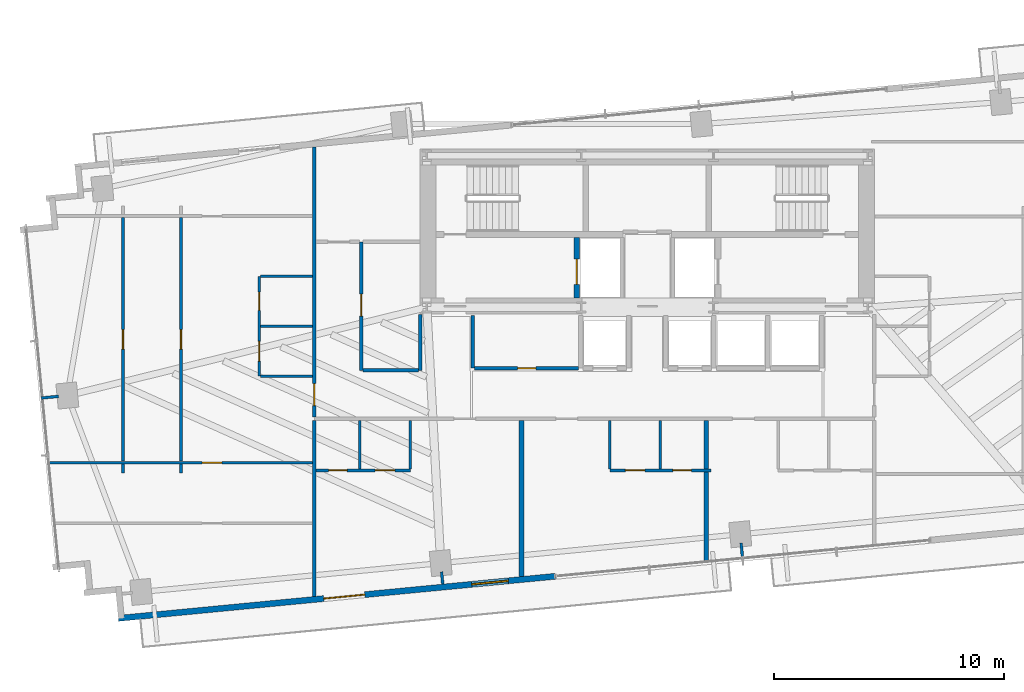
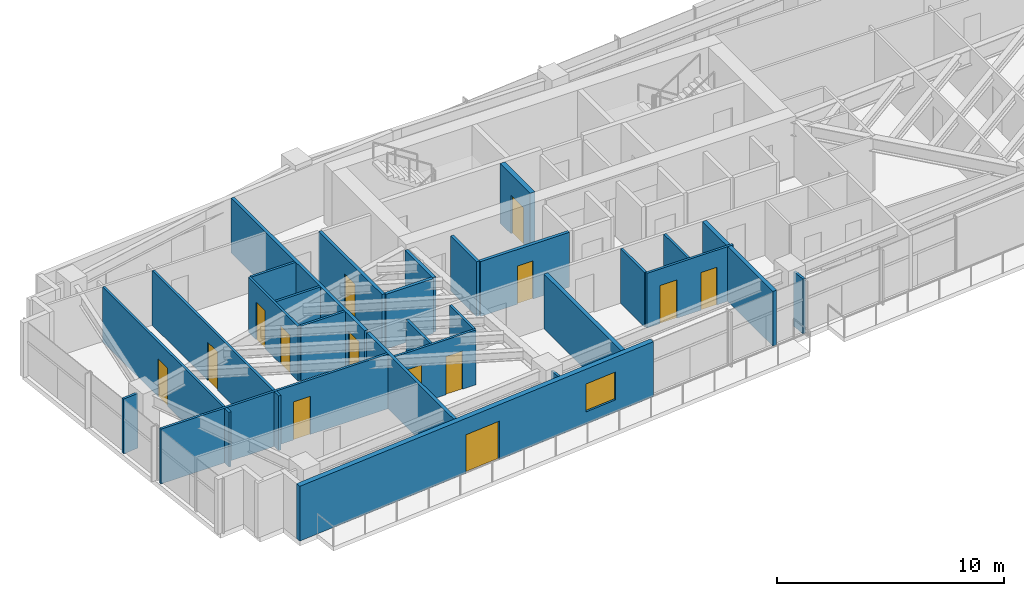
# One storey, part 19 of 25: 30 walls, 14 doors, 1 window, 15 openings.
"""IFC4 building model written with IfcOpenShell, lengths in metres."""

from ifc_helpers import new_model, si_unit, direction, frame, frame_2d, origin, place, context, subcontext, project, spatial, rectangle, extrude, source, transform, mapped, material, layer, layer_set, type_object, type_shapes, element, fill, save


model = new_model("IFC4")

# Units and contexts
model_context = context("Model", 3, precision=1e-05, world=origin(), true_north=direction((0.0, 1.0)))
body_context = subcontext(model_context, "Body", "Model", "MODEL_VIEW")
ifc_project = project(units=[si_unit("LENGTHUNIT", "METRE"), si_unit("AREAUNIT", "SQUARE_METRE"), si_unit("VOLUMEUNIT", "CUBIC_METRE"), si_unit("PLANEANGLEUNIT", "RADIAN"), si_unit("MASSUNIT", "GRAM", prefix="KILO")], contexts=[model_context])

# Site, building, storey
site_placement = place(None, origin())
site = spatial("IfcSite", under=ifc_project, at=site_placement, CompositionType="ELEMENT")
building_placement = place(site_placement, origin())
building = spatial("IfcBuilding", under=site, at=building_placement, Name="Astriad Promenade Condominiums", CompositionType="ELEMENT")
storey_placement = place(building_placement, frame((0.0, 0.0, 106.60009765625)))
storey = spatial("IfcBuildingStorey", under=building, at=storey_placement, Name="L30", CompositionType="ELEMENT", Elevation=106.60009765625)

# Wall, opening, door
ifc_material_1 = material(Name="Concrete C50/60", Category="concrete")
ifc_layer_1 = layer(ifc_material_1, 0.25)
ifc_layer_set_1 = layer_set([ifc_layer_1], Name="Concrete C50/60")
wall_type_1 = type_object("IfcWallType", Name="WALL-CORE-INT-250", PredefinedType="SOLIDWALL", material=ifc_layer_set_1)
wall_1_placement = place(storey_placement, frame((32.925048828125, 17.802001953125, 0.0), z_axis=(0.0, 0.0, 1.0), x_axis=(0.0, 1.0, 0.0)))
wall_1 = element("IfcWall", 1, at=wall_1_placement, inside=storey, type_object=wall_type_1, Name="CW-FFL1-W-L30", PredefinedType="SOLIDWALL", context=body_context, shape_type="SweptSolid", body=[
    extrude(rectangle(XDim=2.64599609375, YDim=0.25, at=frame_2d((1.322998046875, 0.0))), origin(), (0.0, 0.0, 1.0), 3.199951171875),
])
opening_1_placement = place(wall_1_placement, frame((0.597900390625, 0.0, 0.0)))
opening_1 = element("IfcOpeningElement", 2, at=opening_1_placement, cuts=wall_1, Name="Opening LD-FFL-1122", PredefinedType="OPENING", context=body_context, shape_type="SweptSolid", body=[
    extrude(rectangle(XDim=1.10009765625, YDim=2.080078125, at=frame_2d((0.550048828125, 1.0400390625))), frame((0.0, 0.135009765625, 0.0), z_axis=(0.0, -1.0, 0.0), x_axis=(1.0, 0.0, 0.0)), (0.0, 0.0, 1.0), 0.27001953125),
])
ifc_material_2 = material(Name="Brushed Stainless Steel Fire Elevator Landing Door", Category="steel")
door_type_1 = type_object("IfcDoorType", Name="LD-FFL-1122", OperationType="NOTDEFINED", PredefinedType="DOOR", material=ifc_material_2)
shared_shape_1 = source(origin(), body_context, "Body", "SweptSolid", [
    extrude(rectangle(XDim=1.10009765625, YDim=2.080078125, at=frame_2d((0.550048828125, 1.0400390625))), frame((0.0, 0.02490234375, 0.0), z_axis=(0.0, -1.0, 0.0), x_axis=(1.0, 0.0, 0.0)), (0.0, 0.0, 1.0), 0.050048828125),
])
type_shapes(door_type_1, [shared_shape_1])
door_1_placement = place(opening_1_placement, origin())
door_1 = element("IfcDoor", 3, at=door_1_placement, inside=storey, type_object=door_type_1, Name="Elevator Landing Door FFL-1 (L30)", OperationType="SLIDING_TO_LEFT", OverallHeight=2.080078125, OverallWidth=1.10009765625, PredefinedType="DOOR", context=body_context, shape_type="MappedRepresentation", body=[
    mapped(shared_shape_1, transform((0.0, 0.0, 0.0), scale=1.0)),
])
fill(opening_1, door_1)

# Wall
ifc_material_3 = material(Name="Fire-Rated Gypsum Partition")
ifc_layer_2 = layer(ifc_material_3, 0.159912109375)
ifc_layer_set_2 = layer_set([ifc_layer_2], Name="Fire-Rated Gypsum Partition")
wall_type_2 = type_object("IfcWallType", Name="WALL-CORR-160", PredefinedType="PARTITIONING", material=ifc_layer_set_2)
wall_2_placement = place(storey_placement, frame((28.39990234375, 14.75, 0.0), z_axis=(0.0, 0.0, 1.0), x_axis=(0.0, 1.0, 0.0)))
element("IfcWall", 4, at=wall_2_placement, inside=storey, type_object=wall_type_2, Name="REC-L-W-L30", PredefinedType="PARTITIONING", context=body_context, shape_type="SweptSolid", body=[
    extrude(rectangle(XDim=2.300048828125, YDim=0.159912109375, at=frame_2d((1.14990234375, 0.0))), origin(), (0.0, 0.0, 1.0), 2.93994140625),
])

# Wall, opening, door
wall_3_placement = place(storey_placement, frame((28.48193359375, 14.75, 0.0), z_axis=(0.0, 0.0, 1.0), x_axis=(1.0, 0.0, 0.0)))
wall_3 = element("IfcWall", 5, at=wall_3_placement, inside=storey, type_object=wall_type_2, Name="REC-L-S-L30", PredefinedType="PARTITIONING", context=body_context, shape_type="SweptSolid", body=[
    extrude(rectangle(XDim=4.51611328125, YDim=0.159912109375, at=frame_2d((2.258056640625, 0.0))), origin(), (0.0, 0.0, 1.0), 2.93994140625),
])
opening_2_placement = place(wall_3_placement, frame((1.867919921875, 0.0, 0.0)))
opening_2 = element("IfcOpeningElement", 6, at=opening_2_placement, cuts=wall_3, Name="Opening FD60-SV-080", PredefinedType="OPENING", context=body_context, shape_type="SweptSolid", body=[
    extrude(rectangle(XDim=0.800048828125, YDim=2.050048828125, at=frame_2d((0.39990234375, 1.02490234375))), frame((0.0, 0.08984375, 0.0), z_axis=(0.0, -1.0, 0.0), x_axis=(1.0, 0.0, 0.0)), (0.0, 0.0, 1.0), 0.179931640625),
])
ifc_material_4 = material(Name="Fire-Rated Riser Closet Door")
door_type_2 = type_object("IfcDoorType", Name="FD60-SV-080", OperationType="NOTDEFINED", PredefinedType="DOOR", material=ifc_material_4)
shared_shape_2 = source(origin(), body_context, "Body", "SweptSolid", [
    extrude(rectangle(XDim=0.800048828125, YDim=2.050048828125, at=frame_2d((0.39990234375, 1.02490234375))), frame((0.0, 0.02490234375, 0.0), z_axis=(0.0, -1.0, 0.0), x_axis=(1.0, 0.0, 0.0)), (0.0, 0.0, 1.0), 0.050048828125),
])
type_shapes(door_type_2, [shared_shape_2])
door_2_placement = place(opening_2_placement, origin())
door_2 = element("IfcDoor", 7, at=door_2_placement, inside=storey, type_object=door_type_2, Name="D-RECL-L30", OperationType="SINGLE_SWING_LEFT", OverallHeight=2.050048828125, OverallWidth=0.800048828125, PredefinedType="DOOR", context=body_context, shape_type="MappedRepresentation", body=[
    mapped(shared_shape_2, transform((0.0, 0.0, 0.0), scale=1.0)),
])
fill(opening_2, door_2)

# Wall
wall_4_placement = place(storey_placement, frame((21.5, 4.8125, 0.0), z_axis=(0.0, 0.0, 1.0), x_axis=(0.0, 1.0, 0.0)))
element("IfcWall", 8, at=wall_4_placement, inside=storey, type_object=wall_type_2, Name="PT-COR-W-L30", PredefinedType="PARTITIONING", context=body_context, shape_type="SweptSolid", body=[
    extrude(rectangle(XDim=7.655517578125, YDim=0.159912109375, at=frame_2d((3.82763671875, 0.0))), origin(), (0.0, 0.0, 1.0), 2.93994140625),
])

# Wall, opening, door
wall_5_placement = place(storey_placement, frame((21.5, 12.632080078125, 0.0), z_axis=(0.0, 0.0, 1.0), x_axis=(0.0, 1.0, 0.0)))
wall_5 = element("IfcWall", 9, at=wall_5_placement, inside=storey, type_object=wall_type_2, Name="PT-COR-W-L30-S2", PredefinedType="PARTITIONING", context=body_context, shape_type="SweptSolid", body=[
    extrude(rectangle(XDim=11.74658203125, YDim=0.159912109375, at=frame_2d((5.873291015625, 0.0))), origin(), (0.0, 0.0, 1.0), 2.93994140625),
])
opening_3_placement = place(wall_5_placement, frame((0.492919921875, 0.0, 0.0)))
opening_3 = element("IfcOpeningElement", 10, at=opening_3_placement, cuts=wall_5, Name="Opening FD60-APT-095", PredefinedType="OPENING", context=body_context, shape_type="SweptSolid", body=[
    extrude(rectangle(XDim=0.949951171875, YDim=2.06005859375, at=frame_2d((0.47509765625, 1.030029296875))), frame((0.0, 0.08984375, 0.0), z_axis=(0.0, -1.0, 0.0), x_axis=(1.0, 0.0, 0.0)), (0.0, 0.0, 1.0), 0.179931640625),
])
ifc_material_5 = material(Name="Solid-Core Acoustic Timber Residence Entry Door", Category="wood")
door_type_3 = type_object("IfcDoorType", Name="FD60-APT-095", OperationType="NOTDEFINED", PredefinedType="DOOR", material=ifc_material_5)
shared_shape_3 = source(origin(), body_context, "Body", "SweptSolid", [
    extrude(rectangle(XDim=0.949951171875, YDim=2.06005859375, at=frame_2d((0.47509765625, 1.030029296875))), frame((0.0, 0.02490234375, 0.0), z_axis=(0.0, -1.0, 0.0), x_axis=(1.0, 0.0, 0.0)), (0.0, 0.0, 1.0), 0.050048828125),
])
type_shapes(door_type_3, [shared_shape_3])
door_3_placement = place(opening_3_placement, origin())
door_3 = element("IfcDoor", 11, at=door_3_placement, inside=storey, type_object=door_type_3, Name="D-ENT-L30-W1", OperationType="SINGLE_SWING_LEFT", OverallHeight=2.06005859375, OverallWidth=0.949951171875, PredefinedType="DOOR", context=body_context, shape_type="MappedRepresentation", body=[
    mapped(shared_shape_3, transform((0.0, 0.0, 0.0), scale=1.0)),
])
fill(opening_3, door_3)

wall_6_placement = place(storey_placement, frame((23.550048828125, 14.659912109375, 0.0), z_axis=(0.0, 0.0, 1.0), x_axis=(0.0, 1.0, 0.0)))
wall_6 = element("IfcWall", 12, at=wall_6_placement, inside=storey, type_object=wall_type_2, Name="PT-HK-E-L30", PredefinedType="PARTITIONING", context=body_context, shape_type="SweptSolid", body=[
    extrude(rectangle(XDim=5.590087890625, YDim=0.159912109375, at=frame_2d((2.794921875, 0.0))), origin(), (0.0, 0.0, 1.0), 2.93994140625),
])
opening_4_placement = place(wall_6_placement, frame((2.360107421875, 0.0, 0.0)))
opening_4 = element("IfcOpeningElement", 13, at=opening_4_placement, cuts=wall_6, Name="Opening FD60-APT-095", PredefinedType="OPENING", context=body_context, shape_type="SweptSolid", body=[
    extrude(rectangle(XDim=0.949951171875, YDim=2.06005859375, at=frame_2d((0.47509765625, 1.030029296875))), frame((0.0, 0.08984375, 0.0), z_axis=(0.0, -1.0, 0.0), x_axis=(1.0, 0.0, 0.0)), (0.0, 0.0, 1.0), 0.179931640625),
])
door_4_placement = place(opening_4_placement, origin())
door_4 = element("IfcDoor", 14, at=door_4_placement, inside=storey, type_object=door_type_3, Name="D-HKA-L30", OperationType="SINGLE_SWING_RIGHT", OverallHeight=2.06005859375, OverallWidth=0.949951171875, PredefinedType="DOOR", context=body_context, shape_type="MappedRepresentation", body=[
    mapped(shared_shape_3, transform((0.0, 0.0, 0.0), scale=1.0)),
])
fill(opening_4, door_4)

# Walls
wall_7_placement = place(storey_placement, frame((26.1201171875, 14.659912109375, 0.0), z_axis=(0.0, 0.0, 1.0), x_axis=(0.0, 1.0, 0.0)))
element("IfcWall", 15, at=wall_7_placement, inside=storey, type_object=wall_type_2, Name="PT-WSPUR-W-L30", PredefinedType="PARTITIONING", context=body_context, shape_type="SweptSolid", body=[
    extrude(rectangle(XDim=2.43798828125, YDim=0.159912109375, at=frame_2d((1.218994140625, 0.0))), origin(), (0.0, 0.0, 1.0), 2.93994140625),
])
wall_8_placement = place(storey_placement, frame((23.632080078125, 14.659912109375, 0.0), z_axis=(0.0, 0.0, 1.0), x_axis=(1.0, 0.0, 0.0)))
element("IfcWall", 16, at=wall_8_placement, inside=storey, type_object=wall_type_2, Name="PT-HK-S-L30", PredefinedType="PARTITIONING", context=body_context, shape_type="SweptSolid", body=[
    extrude(rectangle(XDim=2.406005859375, YDim=0.159912109375, at=frame_2d((1.203125, 0.0))), origin(), (0.0, 0.0, 1.0), 2.93994140625),
])
ifc_material_6 = material(Name="Acoustic Double-Stud Gypsum Partition")
ifc_layer_3 = layer(ifc_material_6, 0.199951171875)
ifc_layer_set_3 = layer_set([ifc_layer_3], Name="Acoustic Double-Stud Gypsum Partition")
wall_type_3 = type_object("IfcWallType", Name="WALL-DEMISING-200", PredefinedType="PARTITIONING", material=ifc_layer_set_3)
wall_9_placement = place(storey_placement, frame((30.52099609375, 5.68115234375, 0.0), z_axis=(0.0, 0.0, 1.0), x_axis=(0.0, 1.0, 0.0)))
element("IfcWall", 17, at=wall_9_placement, inside=storey, type_object=wall_type_3, Name="PT-DEM-S1-L30", PredefinedType="PARTITIONING", context=body_context, shape_type="SweptSolid", body=[
    extrude(rectangle(XDim=6.786865234375, YDim=0.199951171875, at=frame_2d((3.3935546875, 0.0))), origin(), (0.0, 0.0, 1.0), 2.93994140625),
])
wall_10_placement = place(storey_placement, frame((38.56591796875, 6.27294921875, 0.0), z_axis=(0.0, 0.0, 1.0), x_axis=(0.0, 1.0, 0.0)))
element("IfcWall", 18, at=wall_10_placement, inside=storey, type_object=wall_type_3, Name="PT-DEM-S2-L30", PredefinedType="PARTITIONING", context=body_context, shape_type="SweptSolid", body=[
    extrude(rectangle(XDim=3.965087890625, YDim=0.199951171875, at=frame_2d((1.982421875, 0.0))), origin(), (0.0, 0.0, 1.0), 2.93994140625),
])
wall_11_placement = place(storey_placement, frame((38.56591796875, 10.362060546875, 0.0), z_axis=(0.0, 0.0, 1.0), x_axis=(0.0, 1.0, 0.0)))
element("IfcWall", 19, at=wall_11_placement, inside=storey, type_object=wall_type_3, Name="PT-DEM-S2-L30-S2", PredefinedType="PARTITIONING", context=body_context, shape_type="SweptSolid", body=[
    extrude(rectangle(XDim=2.10595703125, YDim=0.199951171875, at=frame_2d((1.052978515625, 0.0))), origin(), (0.0, 0.0, 1.0), 2.93994140625),
])

# Wall, openings, door, window
ifc_material_7 = material(Name="Precast concrete C50/60", Category="concrete")
ifc_layer_4 = layer(ifc_material_7, 0.260009765625)
ifc_layer_set_4 = layer_set([ifc_layer_4], Name="Precast concrete C50/60")
wall_type_4 = type_object("IfcWallType", Name="WALL-EXT-TWR-260", PredefinedType="STANDARD", material=ifc_layer_set_4)
wall_12_placement = place(storey_placement, frame((31.99365234375, 5.6904296875, 0.0), z_axis=(0.0, 0.0, 1.0), x_axis=(-0.995396521236, -0.095842399342, 0.0)))
wall_12 = element("IfcWall", 20, at=wall_12_placement, inside=storey, type_object=wall_type_4, Name="W-EXT-L30-S2", PredefinedType="STANDARD", context=body_context, shape_type="SweptSolid", body=[
    extrude(rectangle(XDim=19.10986328125, YDim=0.260009765625, at=frame_2d((9.554931640625, 0.0))), origin(), (0.0, 0.0, 1.0), 2.93994140625),
])
opening_5_placement = place(wall_12_placement, frame((8.330078125, 0.0, 0.0)))
opening_5 = element("IfcOpeningElement", 21, at=opening_5_placement, cuts=wall_12, Name="Opening BD-1822-SLD", PredefinedType="OPENING", context=body_context, shape_type="SweptSolid", body=[
    extrude(rectangle(XDim=1.800048828125, YDim=2.06005859375, at=frame_2d((0.89990234375, 1.030029296875))), frame((0.0, 0.139892578125, 0.0), z_axis=(0.0, -1.0, 0.0), x_axis=(1.0, 0.0, 0.0)), (0.0, 0.0, 1.0), 0.280029296875),
])
opening_6_placement = place(wall_12_placement, frame((2.050048828125, 0.0, 0.64990234375)))
opening_6 = element("IfcOpeningElement", 22, at=opening_6_placement, cuts=wall_12, Name="Opening WIN-TWR-1620", PredefinedType="OPENING", context=body_context, shape_type="SweptSolid", body=[
    extrude(rectangle(XDim=1.60009765625, YDim=1.5, at=frame_2d((0.800048828125, 0.75))), frame((0.0, 0.139892578125, 0.0), z_axis=(0.0, -1.0, 0.0), x_axis=(1.0, 0.0, 0.0)), (0.0, 0.0, 1.0), 0.280029296875),
])
ifc_material_8 = material(Name="Thermally Broken Aluminium Sliding Balcony Door", Category="aluminium")
door_type_4 = type_object("IfcDoorType", Name="BD-1822-SLD", OperationType="NOTDEFINED", PredefinedType="DOOR", material=ifc_material_8)
shared_shape_4 = source(origin(), body_context, "Body", "SweptSolid", [
    extrude(rectangle(XDim=1.800048828125, YDim=2.06005859375, at=frame_2d((0.89990234375, 1.030029296875))), frame((0.0, 0.02490234375, 0.0), z_axis=(0.0, -1.0, 0.0), x_axis=(1.0, 0.0, 0.0)), (0.0, 0.0, 1.0), 0.050048828125),
])
type_shapes(door_type_4, [shared_shape_4])
door_5_placement = place(opening_5_placement, origin())
door_5 = element("IfcDoor", 23, at=door_5_placement, inside=storey, type_object=door_type_4, Name="BD-L30-SW", OperationType="SLIDING_TO_LEFT", OverallHeight=2.06005859375, OverallWidth=1.800048828125, PredefinedType="DOOR", context=body_context, shape_type="MappedRepresentation", body=[
    mapped(shared_shape_4, transform((0.0, 0.0, 0.0), scale=1.0)),
])
fill(opening_5, door_5)
ifc_material_9 = material(Name="Dark Tinted Triple-Glazed Aluminium Window", Category="aluminium")
window_type = type_object("IfcWindowType", Name="WIN-TWR-1620", PartitioningType="SINGLE_PANEL", PredefinedType="WINDOW", material=ifc_material_9)
shared_shape_5 = source(origin(), body_context, "Body", "SweptSolid", [
    extrude(rectangle(XDim=1.60009765625, YDim=1.5, at=frame_2d((0.800048828125, 0.75))), frame((0.0, 0.030029296875, 0.0), z_axis=(0.0, -1.0, 0.0), x_axis=(1.0, 0.0, 0.0)), (0.0, 0.0, 1.0), 0.06005859375),
])
type_shapes(window_type, [shared_shape_5])
window_placement = place(opening_6_placement, origin())
window = element("IfcWindow", 24, at=window_placement, inside=storey, type_object=window_type, Name="WIN-L30-SW", OverallHeight=1.5, OverallWidth=1.60009765625, PartitioningType="SINGLE_PANEL", PredefinedType="WINDOW", context=body_context, shape_type="MappedRepresentation", body=[
    mapped(shared_shape_5, transform((0.0, 0.0, 0.0), scale=1.0)),
])
fill(opening_6, window)

# Wall, openings, doors
ifc_material_10 = material(Name="Acoustic Metal-Stud Gypsum Partition")
ifc_layer_5 = layer(ifc_material_10, 0.1201171875)
ifc_layer_set_5 = layer_set([ifc_layer_5], Name="Acoustic Metal-Stud Gypsum Partition")
wall_type_5 = type_object("IfcWallType", Name="WALL-PART-120", PredefinedType="PARTITIONING", material=ifc_layer_set_5)
wall_13_placement = place(storey_placement, frame((21.58203125, 10.300048828125, 0.0), z_axis=(0.0, 0.0, 1.0), x_axis=(1.0, 0.0, 0.0)))
wall_13 = element("IfcWall", 25, at=wall_13_placement, inside=storey, type_object=wall_type_5, Name="PT-L30-S1-PS", PredefinedType="PARTITIONING", context=body_context, shape_type="SweptSolid", body=[
    extrude(rectangle(XDim=4.097900390625, YDim=0.1201171875, at=frame_2d((2.048828125, 0.0))), origin(), (0.0, 0.0, 1.0), 2.93994140625),
])
opening_7_placement = place(wall_13_placement, frame((0.548095703125, 0.0, 0.0)))
opening_7 = element("IfcOpeningElement", 26, at=opening_7_placement, cuts=wall_13, Name="Opening D-WET-080", PredefinedType="OPENING", context=body_context, shape_type="SweptSolid", body=[
    extrude(rectangle(XDim=0.800048828125, YDim=2.02001953125, at=frame_2d((0.39990234375, 1.010009765625))), frame((0.0, 0.070068359375, 0.0), z_axis=(0.0, -1.0, 0.0), x_axis=(1.0, 0.0, 0.0)), (0.0, 0.0, 1.0), 0.14013671875),
])
opening_8_placement = place(wall_13_placement, frame((2.572998046875, 0.0, 0.0)))
opening_8 = element("IfcOpeningElement", 27, at=opening_8_placement, cuts=wall_13, Name="Opening D-INT-085", PredefinedType="OPENING", context=body_context, shape_type="SweptSolid", body=[
    extrude(rectangle(XDim=0.85009765625, YDim=2.050048828125, at=frame_2d((0.425048828125, 1.02490234375))), frame((0.0, 0.070068359375, 0.0), z_axis=(0.0, -1.0, 0.0), x_axis=(1.0, 0.0, 0.0)), (0.0, 0.0, 1.0), 0.14013671875),
])
ifc_material_11 = material(Name="Moisture-Resistant Timber Bathroom Door", Category="wood")
door_type_5 = type_object("IfcDoorType", Name="D-WET-080", OperationType="NOTDEFINED", PredefinedType="DOOR", material=ifc_material_11)
shared_shape_6 = source(origin(), body_context, "Body", "SweptSolid", [
    extrude(rectangle(XDim=0.800048828125, YDim=2.02001953125, at=frame_2d((0.39990234375, 1.010009765625))), frame((0.0, 0.02490234375, 0.0), z_axis=(0.0, -1.0, 0.0), x_axis=(1.0, 0.0, 0.0)), (0.0, 0.0, 1.0), 0.050048828125),
])
type_shapes(door_type_5, [shared_shape_6])
door_6_placement = place(opening_7_placement, origin())
door_6 = element("IfcDoor", 28, at=door_6_placement, inside=storey, type_object=door_type_5, Name="D-BTH-L30-S1", OperationType="SINGLE_SWING_LEFT", OverallHeight=2.02001953125, OverallWidth=0.800048828125, PredefinedType="DOOR", context=body_context, shape_type="MappedRepresentation", body=[
    mapped(shared_shape_6, transform((0.0, 0.0, 0.0), scale=1.0)),
])
fill(opening_7, door_6)
ifc_material_12 = material(Name="Painted Solid-Core Timber Room Door", Category="wood")
door_type_6 = type_object("IfcDoorType", Name="D-INT-085", OperationType="NOTDEFINED", PredefinedType="DOOR", material=ifc_material_12)
shared_shape_7 = source(origin(), body_context, "Body", "SweptSolid", [
    extrude(rectangle(XDim=0.85009765625, YDim=2.050048828125, at=frame_2d((0.425048828125, 1.02490234375))), frame((0.0, 0.02490234375, 0.0), z_axis=(0.0, -1.0, 0.0), x_axis=(1.0, 0.0, 0.0)), (0.0, 0.0, 1.0), 0.050048828125),
])
type_shapes(door_type_6, [shared_shape_7])
door_7_placement = place(opening_8_placement, origin())
door_7 = element("IfcDoor", 29, at=door_7_placement, inside=storey, type_object=door_type_6, Name="D-KIT-L30-S1", OperationType="SINGLE_SWING_RIGHT", OverallHeight=2.050048828125, OverallWidth=0.85009765625, PredefinedType="DOOR", context=body_context, shape_type="MappedRepresentation", body=[
    mapped(shared_shape_7, transform((0.0, 0.0, 0.0), scale=1.0)),
])
fill(opening_8, door_7)

# Walls
for number, where, z_axis, x_axis, name in (
    (30, (25.679931640625, 10.362060546875, 0.0), (0.0, 0.0, 1.0), (0.0, 1.0, 0.0), "PT-L30-S1-PK"),
    (31, (23.47998046875, 10.362060546875, 0.0), (0.0, 0.0, 1.0), (0.0, 1.0, 0.0), "PT-L30-S1-PB"),
):
    element("IfcWall", number, at=place(storey_placement, frame(where, z_axis=z_axis, x_axis=x_axis)), inside=storey, type_object=wall_type_5, Name=name, PredefinedType="PARTITIONING", context=body_context, shape_type="SweptSolid", body=[
        extrude(rectangle(XDim=2.10595703125, YDim=0.1201171875, at=frame_2d((1.052978515625, 0.0))), origin(), (0.0, 0.0, 1.0), 2.93994140625),
    ])

# Wall, openings, doors
wall_14_placement = place(storey_placement, frame((34.365966796875, 10.300048828125, 0.0), z_axis=(0.0, 0.0, 1.0), x_axis=(1.0, 0.0, 0.0)))
wall_14 = element("IfcWall", 32, at=wall_14_placement, inside=storey, type_object=wall_type_5, Name="PT-L30-S2-PS", PredefinedType="PARTITIONING", context=body_context, shape_type="SweptSolid", body=[
    extrude(rectangle(XDim=4.400146484375, YDim=0.1201171875, at=frame_2d((2.2001953125, 0.0))), origin(), (0.0, 0.0, 1.0), 2.93994140625),
])
opening_9_placement = place(wall_14_placement, frame((0.675048828125, 0.0, 0.0)))
opening_9 = element("IfcOpeningElement", 33, at=opening_9_placement, cuts=wall_14, Name="Opening D-INT-085", PredefinedType="OPENING", context=body_context, shape_type="SweptSolid", body=[
    extrude(rectangle(XDim=0.85009765625, YDim=2.050048828125, at=frame_2d((0.425048828125, 1.02490234375))), frame((0.0, 0.070068359375, 0.0), z_axis=(0.0, -1.0, 0.0), x_axis=(1.0, 0.0, 0.0)), (0.0, 0.0, 1.0), 0.14013671875),
])
opening_10_placement = place(wall_14_placement, frame((2.75, 0.0, 0.0)))
opening_10 = element("IfcOpeningElement", 34, at=opening_10_placement, cuts=wall_14, Name="Opening D-WET-080", PredefinedType="OPENING", context=body_context, shape_type="SweptSolid", body=[
    extrude(rectangle(XDim=0.800048828125, YDim=2.02001953125, at=frame_2d((0.39990234375, 1.010009765625))), frame((0.0, 0.070068359375, 0.0), z_axis=(0.0, -1.0, 0.0), x_axis=(1.0, 0.0, 0.0)), (0.0, 0.0, 1.0), 0.14013671875),
])
door_8_placement = place(opening_10_placement, origin())
door_8 = element("IfcDoor", 35, at=door_8_placement, inside=storey, type_object=door_type_5, Name="D-BTH-L30-S2", OperationType="SINGLE_SWING_LEFT", OverallHeight=2.02001953125, OverallWidth=0.800048828125, PredefinedType="DOOR", context=body_context, shape_type="MappedRepresentation", body=[
    mapped(shared_shape_6, transform((0.0, 0.0, 0.0), scale=1.0)),
])
fill(opening_10, door_8)
door_9_placement = place(opening_9_placement, origin())
door_9 = element("IfcDoor", 36, at=door_9_placement, inside=storey, type_object=door_type_6, Name="D-KIT-L30-S2", OperationType="SINGLE_SWING_RIGHT", OverallHeight=2.050048828125, OverallWidth=0.85009765625, PredefinedType="DOOR", context=body_context, shape_type="MappedRepresentation", body=[
    mapped(shared_shape_7, transform((0.0, 0.0, 0.0), scale=1.0)),
])
fill(opening_9, door_9)

# Walls
for number, where, z_axis, x_axis, name in (
    (37, (34.365966796875, 10.362060546875, 0.0), (0.0, 0.0, 1.0), (0.0, 1.0, 0.0), "PT-L30-S2-PK"),
    (38, (36.56591796875, 10.362060546875, 0.0), (0.0, 0.0, 1.0), (0.0, 1.0, 0.0), "PT-L30-S2-PB"),
):
    element("IfcWall", number, at=place(storey_placement, frame(where, z_axis=z_axis, x_axis=x_axis)), inside=storey, type_object=wall_type_5, Name=name, PredefinedType="PARTITIONING", context=body_context, shape_type="SweptSolid", body=[
        extrude(rectangle(XDim=2.10595703125, YDim=0.1201171875, at=frame_2d((1.052978515625, 0.0))), origin(), (0.0, 0.0, 1.0), 2.93994140625),
    ])

# Wall, openings, doors
wall_15_placement = place(storey_placement, frame((19.10009765625, 14.39990234375, 0.0), z_axis=(0.0, 0.0, 1.0), x_axis=(0.0, 1.0, 0.0)))
wall_15 = element("IfcWall", 39, at=wall_15_placement, inside=storey, type_object=wall_type_5, Name="PT-L30-W1-PV", PredefinedType="PARTITIONING", context=body_context, shape_type="SweptSolid", body=[
    extrude(rectangle(XDim=4.35009765625, YDim=0.1201171875, at=frame_2d((2.175048828125, 0.0))), origin(), (0.0, 0.0, 1.0), 2.93994140625),
])
opening_11_placement = place(wall_15_placement, frame((0.6630859375, 0.0, 0.0)))
opening_11 = element("IfcOpeningElement", 40, at=opening_11_placement, cuts=wall_15, Name="Opening D-INT-085", PredefinedType="OPENING", context=body_context, shape_type="SweptSolid", body=[
    extrude(rectangle(XDim=0.85009765625, YDim=2.050048828125, at=frame_2d((0.425048828125, 1.02490234375))), frame((0.0, 0.070068359375, 0.0), z_axis=(0.0, -1.0, 0.0), x_axis=(1.0, 0.0, 0.0)), (0.0, 0.0, 1.0), 0.14013671875),
])
opening_12_placement = place(wall_15_placement, frame((2.863037109375, 0.0, 0.0)))
opening_12 = element("IfcOpeningElement", 41, at=opening_12_placement, cuts=wall_15, Name="Opening D-WET-080", PredefinedType="OPENING", context=body_context, shape_type="SweptSolid", body=[
    extrude(rectangle(XDim=0.800048828125, YDim=2.02001953125, at=frame_2d((0.39990234375, 1.010009765625))), frame((0.0, 0.070068359375, 0.0), z_axis=(0.0, -1.0, 0.0), x_axis=(1.0, 0.0, 0.0)), (0.0, 0.0, 1.0), 0.14013671875),
])
door_10_placement = place(opening_12_placement, origin())
door_10 = element("IfcDoor", 42, at=door_10_placement, inside=storey, type_object=door_type_5, Name="D-BTH-L30-W1", OperationType="SINGLE_SWING_LEFT", OverallHeight=2.02001953125, OverallWidth=0.800048828125, PredefinedType="DOOR", context=body_context, shape_type="MappedRepresentation", body=[
    mapped(shared_shape_6, transform((0.0, 0.0, 0.0), scale=1.0)),
])
fill(opening_12, door_10)
door_11_placement = place(opening_11_placement, origin())
door_11 = element("IfcDoor", 43, at=door_11_placement, inside=storey, type_object=door_type_6, Name="D-KIT-L30-W1", OperationType="SINGLE_SWING_RIGHT", OverallHeight=2.050048828125, OverallWidth=0.85009765625, PredefinedType="DOOR", context=body_context, shape_type="MappedRepresentation", body=[
    mapped(shared_shape_7, transform((0.0, 0.0, 0.0), scale=1.0)),
])
fill(opening_11, door_11)

# Walls
for number, where, z_axis, x_axis, name in (
    (44, (19.162109375, 16.574951171875, 0.0), (0.0, 0.0, 1.0), (1.0, 0.0, 0.0), "PT-L30-W1-PM"),
    (45, (19.162109375, 14.39990234375, 0.0), (0.0, 0.0, 1.0), (1.0, 0.0, 0.0), "PT-L30-W1-PS"),
    (46, (19.162109375, 18.75, 0.0), (0.0, 0.0, 1.0), (1.0, 0.0, 0.0), "PT-L30-W1-PN"),
):
    element("IfcWall", number, at=place(storey_placement, frame(where, z_axis=z_axis, x_axis=x_axis)), inside=storey, type_object=wall_type_5, Name=name, PredefinedType="PARTITIONING", context=body_context, shape_type="SweptSolid", body=[
        extrude(rectangle(XDim=2.255859375, YDim=0.1201171875, at=frame_2d((1.1279296875, 0.0))), origin(), (0.0, 0.0, 1.0), 2.93994140625),
    ])

# Wall, opening, door
wall_16_placement = place(storey_placement, frame((9.8876953125, 10.636962890625, 0.0), z_axis=(0.0, 0.0, 1.0), x_axis=(1.0, 0.0, 0.0)))
wall_16 = element("IfcWall", 47, at=wall_16_placement, inside=storey, type_object=wall_type_5, Name="PT-L30-W1-WDS3", PredefinedType="PARTITIONING", context=body_context, shape_type="SweptSolid", body=[
    extrude(rectangle(XDim=11.5302734375, YDim=0.1201171875, at=frame_2d((5.76513671875, 0.0))), origin(), (0.0, 0.0, 1.0), 2.93994140625),
])
opening_13_placement = place(wall_16_placement, frame((6.735107421875, 0.0, 0.0)))
opening_13 = element("IfcOpeningElement", 48, at=opening_13_placement, cuts=wall_16, Name="Opening D-INT-085", PredefinedType="OPENING", context=body_context, shape_type="SweptSolid", body=[
    extrude(rectangle(XDim=0.85009765625, YDim=2.050048828125, at=frame_2d((0.425048828125, 1.02490234375))), frame((0.0, 0.070068359375, 0.0), z_axis=(0.0, -1.0, 0.0), x_axis=(1.0, 0.0, 0.0)), (0.0, 0.0, 1.0), 0.14013671875),
])
door_12_placement = place(opening_13_placement, origin())
door_12 = element("IfcDoor", 49, at=door_12_placement, inside=storey, type_object=door_type_6, Name="D-WDS3-L30-W1", OperationType="SINGLE_SWING_RIGHT", OverallHeight=2.050048828125, OverallWidth=0.85009765625, PredefinedType="DOOR", context=body_context, shape_type="MappedRepresentation", body=[
    mapped(shared_shape_7, transform((0.0, 0.0, 0.0), scale=1.0)),
])
fill(opening_13, door_12)

# Wall
wall_17_placement = place(storey_placement, frame((13.175048828125, 10.197021484375, 0.0), z_axis=(0.0, 0.0, 1.0), x_axis=(0.0, 1.0, 0.0)))
element("IfcWall", 50, at=wall_17_placement, inside=storey, type_object=wall_type_5, Name="PT-L30-W1-WDV4", PredefinedType="PARTITIONING", context=body_context, shape_type="SweptSolid", body=[
    extrude(rectangle(XDim=0.3779296875, YDim=0.1201171875, at=frame_2d((0.18896484375, 0.0))), origin(), (0.0, 0.0, 1.0), 2.93994140625),
])

# Wall, opening, door
wall_18_placement = place(storey_placement, frame((13.175048828125, 10.698974609375, 0.0), z_axis=(0.0, 0.0, 1.0), x_axis=(0.0, 1.0, 0.0)))
wall_18 = element("IfcWall", 51, at=wall_18_placement, inside=storey, type_object=wall_type_5, Name="PT-L30-W1-WDV4-S2", PredefinedType="PARTITIONING", context=body_context, shape_type="SweptSolid", body=[
    extrude(rectangle(XDim=10.610107421875, YDim=0.1201171875, at=frame_2d((5.30517578125, 0.0))), origin(), (0.0, 0.0, 1.0), 2.93994140625),
])
opening_14_placement = place(wall_18_placement, frame((4.8798828125, 0.0, 0.0)))
opening_14 = element("IfcOpeningElement", 52, at=opening_14_placement, cuts=wall_18, Name="Opening D-INT-085", PredefinedType="OPENING", context=body_context, shape_type="SweptSolid", body=[
    extrude(rectangle(XDim=0.85009765625, YDim=2.050048828125, at=frame_2d((0.425048828125, 1.02490234375))), frame((0.0, 0.070068359375, 0.0), z_axis=(0.0, -1.0, 0.0), x_axis=(1.0, 0.0, 0.0)), (0.0, 0.0, 1.0), 0.14013671875),
])
door_13_placement = place(opening_14_placement, origin())
door_13 = element("IfcDoor", 53, at=door_13_placement, inside=storey, type_object=door_type_6, Name="D-WDV4-L30-W1", OperationType="SINGLE_SWING_LEFT", OverallHeight=2.050048828125, OverallWidth=0.85009765625, PredefinedType="DOOR", context=body_context, shape_type="MappedRepresentation", body=[
    mapped(shared_shape_7, transform((0.0, 0.0, 0.0), scale=1.0)),
])
fill(opening_14, door_13)

# Wall
wall_19_placement = place(storey_placement, frame((15.697998046875, 10.197021484375, 0.0), z_axis=(0.0, 0.0, 1.0), x_axis=(0.0, 1.0, 0.0)))
element("IfcWall", 54, at=wall_19_placement, inside=storey, type_object=wall_type_5, Name="PT-L30-W1-WDV5", PredefinedType="PARTITIONING", context=body_context, shape_type="SweptSolid", body=[
    extrude(rectangle(XDim=0.3779296875, YDim=0.1201171875, at=frame_2d((0.18896484375, 0.0))), origin(), (0.0, 0.0, 1.0), 2.93994140625),
])

# Wall, opening, door
wall_20_placement = place(storey_placement, frame((15.697998046875, 10.698974609375, 0.0), z_axis=(0.0, 0.0, 1.0), x_axis=(0.0, 1.0, 0.0)))
wall_20 = element("IfcWall", 55, at=wall_20_placement, inside=storey, type_object=wall_type_5, Name="PT-L30-W1-WDV5-S2", PredefinedType="PARTITIONING", context=body_context, shape_type="SweptSolid", body=[
    extrude(rectangle(XDim=10.610107421875, YDim=0.1201171875, at=frame_2d((5.30517578125, 0.0))), origin(), (0.0, 0.0, 1.0), 2.93994140625),
])
opening_15_placement = place(wall_20_placement, frame((4.8798828125, 0.0, 0.0)))
opening_15 = element("IfcOpeningElement", 56, at=opening_15_placement, cuts=wall_20, Name="Opening D-INT-085", PredefinedType="OPENING", context=body_context, shape_type="SweptSolid", body=[
    extrude(rectangle(XDim=0.85009765625, YDim=2.050048828125, at=frame_2d((0.425048828125, 1.02490234375))), frame((0.0, 0.070068359375, 0.0), z_axis=(0.0, -1.0, 0.0), x_axis=(1.0, 0.0, 0.0)), (0.0, 0.0, 1.0), 0.14013671875),
])
door_14_placement = place(opening_15_placement, origin())
door_14 = element("IfcDoor", 57, at=door_14_placement, inside=storey, type_object=door_type_6, Name="D-WDV5-L30-W1", OperationType="SINGLE_SWING_RIGHT", OverallHeight=2.050048828125, OverallWidth=0.85009765625, PredefinedType="DOOR", context=body_context, shape_type="MappedRepresentation", body=[
    mapped(shared_shape_7, transform((0.0, 0.0, 0.0), scale=1.0)),
])
fill(opening_15, door_14)

# Walls
wall_21_placement = place(storey_placement, frame((27.0419921875, 5.88671875, 0.0), z_axis=(0.0, 0.0, 1.0), x_axis=(0.096222656154, -0.995359834654, 0.0)))
element("IfcWall", 58, at=wall_21_placement, inside=storey, type_object=wall_type_5, Name="PT-PIL-L30-PC02-9", PredefinedType="PARTITIONING", context=body_context, shape_type="SweptSolid", body=[
    extrude(rectangle(XDim=0.537841796875, YDim=0.1201171875, at=frame_2d((0.26904296875, 0.0))), origin(), (0.0, 0.0, 1.0), 2.93994140625),
])
wall_22_placement = place(storey_placement, frame((40.081787109375, 7.142333984375, 0.0), z_axis=(0.0, 0.0, 1.0), x_axis=(0.095944965663, -0.995386640238, 0.0)))
element("IfcWall", 59, at=wall_22_placement, inside=storey, type_object=wall_type_5, Name="PT-PIL-L30-PC03-10", PredefinedType="PARTITIONING", context=body_context, shape_type="SweptSolid", body=[
    extrude(rectangle(XDim=0.72021484375, YDim=0.1201171875, at=frame_2d((0.360107421875, 0.0))), origin(), (0.0, 0.0, 1.0), 2.93994140625),
])
wall_23_placement = place(storey_placement, frame((10.373291015625, 13.5244140625, 0.0), z_axis=(0.0, 0.0, 1.0), x_axis=(-0.995377786728, -0.096036772582, 0.0)))
element("IfcWall", 60, at=wall_23_placement, inside=storey, type_object=wall_type_5, Name="PT-PIL-L30-PC11-18", PredefinedType="PARTITIONING", context=body_context, shape_type="SweptSolid", body=[
    extrude(rectangle(XDim=0.760009765625, YDim=0.1201171875, at=frame_2d((0.3798828125, 0.0))), origin(), (0.0, 0.0, 1.0), 2.93994140625),
])

save(model, "model.ifc")
